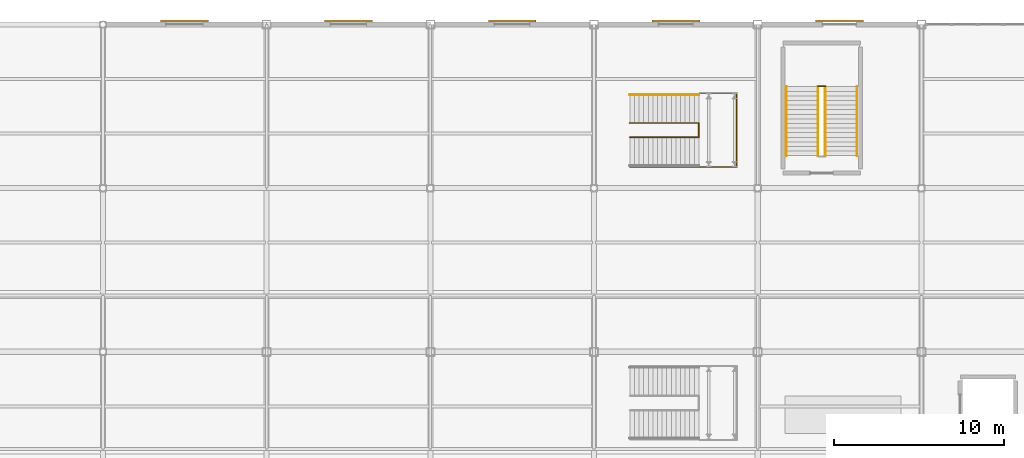
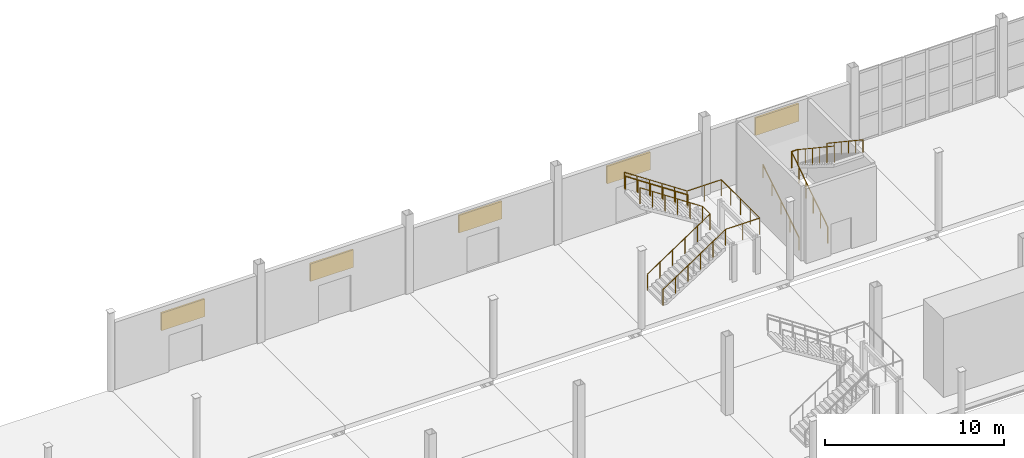
# One storey, part 84 of 85: 8 railings, 5 shading devices.
"""IFC4 building model written with IfcOpenShell, lengths in metres."""

from ifc_helpers import new_model, si_unit, direction, frame, origin, origin_2d, place, context, subcontext, project, spatial, rectangle, circle, extrude, material, type_object, element, save


model = new_model("IFC4")

# Units and contexts
model_context = context("Model", 3, precision=1e-05, world=origin(), true_north=direction((0.0, 1.0)))
body_context = subcontext(model_context, "Body", "Model", "MODEL_VIEW")
ifc_project = project(units=[si_unit("LENGTHUNIT", "METRE"), si_unit("AREAUNIT", "SQUARE_METRE"), si_unit("VOLUMEUNIT", "CUBIC_METRE"), si_unit("PLANEANGLEUNIT", "RADIAN"), si_unit("MASSUNIT", "GRAM", prefix="KILO")], contexts=[model_context])

# Site, building, storey
site_placement = place(None, origin())
site = spatial("IfcSite", under=ifc_project, at=site_placement, CompositionType="ELEMENT")
building_placement = place(site_placement, origin())
building = spatial("IfcBuilding", under=site, at=building_placement, Name="Zarnetskaya Central Station", CompositionType="ELEMENT")
storey_placement = place(building_placement, origin())
storey = spatial("IfcBuildingStorey", under=building, at=storey_placement, Name="L00", CompositionType="ELEMENT", Elevation=0.0)

# Railings
ifc_material_1 = material(Name="Steel S355", Category="steel")
railing_type_1 = type_object("IfcRailingType", Name="RAIL-HAND-900", PredefinedType="HANDRAIL", material=ifc_material_1)
railing_1_placement = place(storey_placement, frame((88.080078125, 117.10009765625, 0.168701171875)))
element("IfcRailing", 1, at=railing_1_placement, inside=storey, type_object=railing_type_1, Name="Stair ST-B1 L00 flight 1 handrail", PredefinedType="HANDRAIL", context=body_context, shape_type="SweptSolid", body=[
    extrude(circle(Radius=0.02392578125, at=origin_2d()), frame((0.0, 0.0, 0.8759765625), z_axis=(0.0, 0.847986816054, 0.530017320282), x_axis=(-1.0, 0.0, 0.0)), (0.0, 0.0, 1.0), 4.77587890625),
    extrude(circle(Radius=0.02099609375, at=origin_2d()), origin(), (0.0, 0.0, 1.0), 0.851806640625),
    extrude(circle(Radius=0.02099609375, at=origin_2d()), frame((0.0, 1.012451171875, 0.6328125)), (0.0, 0.0, 1.0), 0.851806640625),
    extrude(circle(Radius=0.02099609375, at=origin_2d()), frame((0.0, 2.02490234375, 1.265625)), (0.0, 0.0, 1.0), 0.851806640625),
    extrude(circle(Radius=0.02099609375, at=origin_2d()), frame((0.0, 3.037353515625, 1.8984375)), (0.0, 0.0, 1.0), 0.851806640625),
    extrude(circle(Radius=0.02099609375, at=origin_2d()), frame((0.0, 4.0498046875, 2.53125)), (0.0, 0.0, 1.0), 0.851806640625),
])
railing_2_placement = place(storey_placement, frame((92.219970703125, 121.14990234375, 2.699951171875)))
element("IfcRailing", 2, at=railing_2_placement, inside=storey, type_object=railing_type_1, Name="Stair ST-B1 L00 flight 2 handrail", PredefinedType="HANDRAIL", context=body_context, shape_type="SweptSolid", body=[
    extrude(circle(Radius=0.02392578125, at=origin_2d()), frame((0.0, 0.0, 0.8759765625), z_axis=(0.0, -0.832042577441, 0.554711771396), x_axis=(1.0, 0.0, 0.0)), (0.0, 0.0, 1.0), 4.8671875),
    extrude(circle(Radius=0.02099609375, at=origin_2d()), origin(), (0.0, 0.0, 1.0), 0.851806640625),
    extrude(circle(Radius=0.02099609375, at=origin_2d()), frame((0.0, -0.81005859375, 0.5400390625)), (0.0, 0.0, 1.0), 0.851806640625),
    extrude(circle(Radius=0.02099609375, at=origin_2d()), frame((0.0, -1.619873046875, 1.080078125)), (0.0, 0.0, 1.0), 0.851806640625),
    extrude(circle(Radius=0.02099609375, at=origin_2d()), frame((0.0, -2.429931640625, 1.619873046875)), (0.0, 0.0, 1.0), 0.851806640625),
    extrude(circle(Radius=0.02099609375, at=origin_2d()), frame((0.0, -3.23974609375, 2.159912109375)), (0.0, 0.0, 1.0), 0.851806640625),
    extrude(circle(Radius=0.02099609375, at=origin_2d()), frame((0.0, -4.0498046875, 2.699951171875)), (0.0, 0.0, 1.0), 0.851806640625),
])
railing_3_placement = place(storey_placement, frame((82.949951171875, 120.679931640625, 2.699951171875)))
element("IfcRailing", 3, at=railing_3_placement, inside=storey, type_object=railing_type_1, Name="Platform stair ST-P4 handrail 2", PredefinedType="HANDRAIL", context=body_context, shape_type="SweptSolid", body=[
    extrude(circle(Radius=0.02392578125, at=origin_2d()), frame((0.0, 0.0, 0.8759765625), z_axis=(-0.832058010752, 0.0, 0.55468862143), x_axis=(0.0, -1.0, 0.0)), (0.0, 0.0, 1.0), 4.867431640625),
    extrude(circle(Radius=0.02099609375, at=origin_2d()), origin(), (0.0, 0.0, 1.0), 0.851806640625),
    extrude(circle(Radius=0.02099609375, at=origin_2d()), frame((-0.81005859375, 0.0, 0.5400390625)), (0.0, 0.0, 1.0), 0.851806640625),
    extrude(circle(Radius=0.02099609375, at=origin_2d()), frame((-1.6201171875, 0.0, 1.080078125)), (0.0, 0.0, 1.0), 0.851806640625),
    extrude(circle(Radius=0.02099609375, at=origin_2d()), frame((-2.429931640625, 0.0, 1.619873046875)), (0.0, 0.0, 1.0), 0.851806640625),
    extrude(circle(Radius=0.02099609375, at=origin_2d()), frame((-3.239990234375, 0.0, 2.159912109375)), (0.0, 0.0, 1.0), 0.851806640625),
    extrude(circle(Radius=0.02099609375, at=origin_2d()), frame((-4.050048828125, 0.0, 2.699951171875)), (0.0, 0.0, 1.0), 0.851806640625),
])
railing_type_2 = type_object("IfcRailingType", Name="RAIL-STAIR-GRD", PredefinedType="BALUSTRADE", material=ifc_material_1)
railing_4_placement = place(storey_placement, frame((89.93994140625, 117.10009765625, 0.0)))
element("IfcRailing", 4, at=railing_4_placement, inside=storey, type_object=railing_type_2, Name="Stair ST-B1 L00 flight 1 well guard", PredefinedType="BALUSTRADE", context=body_context, shape_type="SweptSolid", body=[
    extrude(circle(Radius=0.02392578125, at=origin_2d()), frame((0.0, 0.0, 1.09619140625), z_axis=(0.0, 0.832042577441, 0.554711771396), x_axis=(-1.0, 0.0, 0.0)), (0.0, 0.0, 1.0), 4.8671875),
    extrude(circle(Radius=0.02099609375, at=origin_2d()), origin(), (0.0, 0.0, 1.0), 1.072021484375),
    extrude(circle(Radius=0.02099609375, at=origin_2d()), frame((0.0, 0.81005859375, 0.5400390625)), (0.0, 0.0, 1.0), 1.072021484375),
    extrude(circle(Radius=0.02099609375, at=origin_2d()), frame((0.0, 1.619873046875, 1.080078125)), (0.0, 0.0, 1.0), 1.072021484375),
    extrude(circle(Radius=0.02099609375, at=origin_2d()), frame((0.0, 2.429931640625, 1.619873046875)), (0.0, 0.0, 1.0), 1.072021484375),
    extrude(circle(Radius=0.02099609375, at=origin_2d()), frame((0.0, 3.23974609375, 2.159912109375)), (0.0, 0.0, 1.0), 1.072021484375),
    extrude(circle(Radius=0.02099609375, at=origin_2d()), frame((0.0, 4.0498046875, 2.699951171875)), (0.0, 0.0, 1.0), 1.072021484375),
])
railing_5_placement = place(storey_placement, frame((89.93994140625, 121.169921875, 2.699951171875)))
element("IfcRailing", 5, at=railing_5_placement, inside=storey, type_object=railing_type_2, Name="Stair ST-B1 L00 half-landing well guard", PredefinedType="BALUSTRADE", context=body_context, shape_type="SweptSolid", body=[
    extrude(circle(Radius=0.02392578125, at=origin_2d()), frame((0.0, 0.0, 1.09619140625), z_axis=(1.0, 0.0, 0.0), x_axis=(0.0, 1.0, 0.0)), (0.0, 0.0, 1.0), 0.420166015625),
    extrude(circle(Radius=0.02099609375, at=origin_2d()), origin(), (0.0, 0.0, 1.0), 1.072021484375),
    extrude(circle(Radius=0.02099609375, at=origin_2d()), frame((0.420166015625, 0.0, 0.0)), (0.0, 0.0, 1.0), 1.072021484375),
])
railing_6_placement = place(storey_placement, frame((90.360107421875, 121.14990234375, 2.699951171875)))
element("IfcRailing", 6, at=railing_6_placement, inside=storey, type_object=railing_type_2, Name="Stair ST-B1 L00 flight 2 well guard", PredefinedType="BALUSTRADE", context=body_context, shape_type="SweptSolid", body=[
    extrude(circle(Radius=0.02392578125, at=origin_2d()), frame((0.0, 0.0, 1.09619140625), z_axis=(0.0, -0.832042577441, 0.554711771396), x_axis=(1.0, 0.0, 0.0)), (0.0, 0.0, 1.0), 4.8671875),
    extrude(circle(Radius=0.02099609375, at=origin_2d()), origin(), (0.0, 0.0, 1.0), 1.072021484375),
    extrude(circle(Radius=0.02099609375, at=origin_2d()), frame((0.0, -0.81005859375, 0.5400390625)), (0.0, 0.0, 1.0), 1.072021484375),
    extrude(circle(Radius=0.02099609375, at=origin_2d()), frame((0.0, -1.619873046875, 1.080078125)), (0.0, 0.0, 1.0), 1.072021484375),
    extrude(circle(Radius=0.02099609375, at=origin_2d()), frame((0.0, -2.429931640625, 1.619873046875)), (0.0, 0.0, 1.0), 1.072021484375),
    extrude(circle(Radius=0.02099609375, at=origin_2d()), frame((0.0, -3.23974609375, 2.159912109375)), (0.0, 0.0, 1.0), 1.072021484375),
    extrude(circle(Radius=0.02099609375, at=origin_2d()), frame((0.0, -4.0498046875, 2.699951171875)), (0.0, 0.0, 1.0), 1.072021484375),
])
railing_7_placement = place(storey_placement, frame((78.89990234375, 116.43994140625, 0.0)))
element("IfcRailing", 7, at=railing_7_placement, inside=storey, type_object=railing_type_2, Name="Platform stair ST-P4 outer guard", PredefinedType="BALUSTRADE", context=body_context, shape_type="SweptSolid", body=[
    extrude(circle(Radius=0.02392578125, at=origin_2d()), frame((0.0, 0.0, 1.09619140625), z_axis=(0.832058010752, 0.0, 0.55468862143), x_axis=(0.0, 1.0, 0.0)), (0.0, 0.0, 1.0), 4.867431640625),
    extrude(circle(Radius=0.02392578125, at=origin_2d()), frame((4.050048828125, 0.0, 3.7958984375), z_axis=(1.0, 0.0, 0.0), x_axis=(0.0, 1.0, 0.0)), (0.0, 0.0, 1.0), 2.2099609375),
    extrude(circle(Radius=0.02392578125, at=origin_2d()), frame((6.260009765625, 0.0, 3.7958984375), z_axis=(0.0, 1.0, 0.0), x_axis=(-1.0, 0.0, 0.0)), (0.0, 0.0, 1.0), 4.320068359375),
    extrude(circle(Radius=0.02392578125, at=origin_2d()), frame((6.260009765625, 4.320068359375, 3.7958984375), z_axis=(-1.0, 0.0, 0.0), x_axis=(0.0, -1.0, 0.0)), (0.0, 0.0, 1.0), 2.2099609375),
    extrude(circle(Radius=0.02392578125, at=origin_2d()), frame((4.050048828125, 4.320068359375, 3.7958984375), z_axis=(-0.832058010752, 0.0, 0.55468862143), x_axis=(0.0, -1.0, 0.0)), (0.0, 0.0, 1.0), 4.867431640625),
    extrude(circle(Radius=0.02099609375, at=origin_2d()), origin(), (0.0, 0.0, 1.0), 1.072021484375),
    extrude(circle(Radius=0.02099609375, at=origin_2d()), frame((0.81005859375, 0.0, 0.5400390625)), (0.0, 0.0, 1.0), 1.072021484375),
    extrude(circle(Radius=0.02099609375, at=origin_2d()), frame((1.6201171875, 0.0, 1.080078125)), (0.0, 0.0, 1.0), 1.072021484375),
    extrude(circle(Radius=0.02099609375, at=origin_2d()), frame((2.429931640625, 0.0, 1.619873046875)), (0.0, 0.0, 1.0), 1.072021484375),
    extrude(circle(Radius=0.02099609375, at=origin_2d()), frame((3.239990234375, 0.0, 2.159912109375)), (0.0, 0.0, 1.0), 1.072021484375),
    extrude(circle(Radius=0.02099609375, at=origin_2d()), frame((4.050048828125, 0.0, 2.699951171875)), (0.0, 0.0, 1.0), 1.072021484375),
    extrude(circle(Radius=0.02099609375, at=origin_2d()), frame((5.155029296875, 0.0, 2.699951171875)), (0.0, 0.0, 1.0), 1.072021484375),
    extrude(circle(Radius=0.02099609375, at=origin_2d()), frame((6.260009765625, 0.0, 2.699951171875)), (0.0, 0.0, 1.0), 1.072021484375),
    extrude(circle(Radius=0.02099609375, at=origin_2d()), frame((6.260009765625, 1.080078125, 2.699951171875)), (0.0, 0.0, 1.0), 1.072021484375),
    extrude(circle(Radius=0.02099609375, at=origin_2d()), frame((6.260009765625, 2.16015625, 2.699951171875)), (0.0, 0.0, 1.0), 1.072021484375),
    extrude(circle(Radius=0.02099609375, at=origin_2d()), frame((6.260009765625, 3.239990234375, 2.699951171875)), (0.0, 0.0, 1.0), 1.072021484375),
    extrude(circle(Radius=0.02099609375, at=origin_2d()), frame((6.260009765625, 4.320068359375, 2.699951171875)), (0.0, 0.0, 1.0), 1.072021484375),
    extrude(circle(Radius=0.02099609375, at=origin_2d()), frame((5.155029296875, 4.320068359375, 2.699951171875)), (0.0, 0.0, 1.0), 1.072021484375),
    extrude(circle(Radius=0.02099609375, at=origin_2d()), frame((4.050048828125, 4.320068359375, 2.699951171875)), (0.0, 0.0, 1.0), 1.072021484375),
    extrude(circle(Radius=0.02099609375, at=origin_2d()), frame((3.239990234375, 4.320068359375, 3.239990234375)), (0.0, 0.0, 1.0), 1.072021484375),
    extrude(circle(Radius=0.02099609375, at=origin_2d()), frame((2.429931640625, 4.320068359375, 3.780029296875)), (0.0, 0.0, 1.0), 1.072021484375),
    extrude(circle(Radius=0.02099609375, at=origin_2d()), frame((1.6201171875, 4.320068359375, 4.31982421875)), (0.0, 0.0, 1.0), 1.072021484375),
    extrude(circle(Radius=0.02099609375, at=origin_2d()), frame((0.81005859375, 4.320068359375, 4.85986328125)), (0.0, 0.0, 1.0), 1.072021484375),
    extrude(circle(Radius=0.02099609375, at=origin_2d()), frame((0.0, 4.320068359375, 5.39990234375)), (0.0, 0.0, 1.0), 1.072021484375),
])
railing_8_placement = place(storey_placement, frame((78.89990234375, 118.179931640625, 0.0)))
element("IfcRailing", 8, at=railing_8_placement, inside=storey, type_object=railing_type_2, Name="Platform stair ST-P4 inner well guard", PredefinedType="BALUSTRADE", context=body_context, shape_type="SweptSolid", body=[
    extrude(circle(Radius=0.02392578125, at=origin_2d()), frame((0.0, 0.0, 1.09619140625), z_axis=(0.832058010752, 0.0, 0.55468862143), x_axis=(0.0, 1.0, 0.0)), (0.0, 0.0, 1.0), 4.867431640625),
    extrude(circle(Radius=0.02392578125, at=origin_2d()), frame((4.050048828125, 0.0, 3.7958984375), z_axis=(0.0, 1.0, 0.0), x_axis=(-1.0, 0.0, 0.0)), (0.0, 0.0, 1.0), 0.840087890625),
    extrude(circle(Radius=0.02392578125, at=origin_2d()), frame((4.050048828125, 0.840087890625, 3.7958984375), z_axis=(-0.832058010752, 0.0, 0.55468862143), x_axis=(0.0, -1.0, 0.0)), (0.0, 0.0, 1.0), 4.867431640625),
    extrude(circle(Radius=0.02099609375, at=origin_2d()), origin(), (0.0, 0.0, 1.0), 1.072021484375),
    extrude(circle(Radius=0.02099609375, at=origin_2d()), frame((0.81005859375, 0.0, 0.5400390625)), (0.0, 0.0, 1.0), 1.072021484375),
    extrude(circle(Radius=0.02099609375, at=origin_2d()), frame((1.6201171875, 0.0, 1.080078125)), (0.0, 0.0, 1.0), 1.072021484375),
    extrude(circle(Radius=0.02099609375, at=origin_2d()), frame((2.429931640625, 0.0, 1.619873046875)), (0.0, 0.0, 1.0), 1.072021484375),
    extrude(circle(Radius=0.02099609375, at=origin_2d()), frame((3.239990234375, 0.0, 2.159912109375)), (0.0, 0.0, 1.0), 1.072021484375),
    extrude(circle(Radius=0.02099609375, at=origin_2d()), frame((4.050048828125, 0.0, 2.699951171875)), (0.0, 0.0, 1.0), 1.072021484375),
    extrude(circle(Radius=0.02099609375, at=origin_2d()), frame((4.050048828125, 0.840087890625, 2.699951171875)), (0.0, 0.0, 1.0), 1.072021484375),
    extrude(circle(Radius=0.02099609375, at=origin_2d()), frame((3.239990234375, 0.840087890625, 3.239990234375)), (0.0, 0.0, 1.0), 1.072021484375),
    extrude(circle(Radius=0.02099609375, at=origin_2d()), frame((2.429931640625, 0.840087890625, 3.780029296875)), (0.0, 0.0, 1.0), 1.072021484375),
    extrude(circle(Radius=0.02099609375, at=origin_2d()), frame((1.6201171875, 0.840087890625, 4.31982421875)), (0.0, 0.0, 1.0), 1.072021484375),
    extrude(circle(Radius=0.02099609375, at=origin_2d()), frame((0.81005859375, 0.840087890625, 4.85986328125)), (0.0, 0.0, 1.0), 1.072021484375),
    extrude(circle(Radius=0.02099609375, at=origin_2d()), frame((0.0, 0.840087890625, 5.39990234375)), (0.0, 0.0, 1.0), 1.072021484375),
])

# Shading devices
ifc_material_2 = material(Name="Anodised aluminium", Category="aluminium")
shading_device_type = type_object("IfcShadingDeviceType", Name="SHD-JALOUSIE-B", PredefinedType="JALOUSIE", material=ifc_material_2)
for number, where, z_axis, x_axis, name in (
    (9, (52.776611328125, 125.0, 2.75), (0.0, 0.0, 1.0), (1.0, 0.0, 0.0), "Acoustic ventilation jalousie L00"),
    (10, (62.39990234375, 125.0, 2.75), (0.0, 0.0, 1.0), (1.0, 0.0, 0.0), "Acoustic ventilation jalousie L00"),
    (11, (72.0, 125.0, 2.7001953125), (0.0, 0.0, 1.0), (1.0, 0.0, 0.0), "Acoustic ventilation jalousie L00"),
    (12, (81.60009765625, 125.0, 2.7001953125), (0.0, 0.0, 1.0), (1.0, 0.0, 0.0), "Acoustic ventilation jalousie L00"),
    (13, (91.199951171875, 125.0, 2.64990234375), (0.0, 0.0, 1.0), (1.0, 0.0, 0.0), "Acoustic ventilation jalousie L00"),
):
    element("IfcShadingDevice", number, at=place(storey_placement, frame(where, z_axis=z_axis, x_axis=x_axis)), inside=storey, type_object=shading_device_type, Name=name, PredefinedType="JALOUSIE", context=body_context, shape_type="SweptSolid", body=[
        extrude(rectangle(XDim=2.800048828125, YDim=0.1201171875, at=origin_2d()), origin(), (0.0, 0.0, 1.0), 1.199951171875),
    ])

save(model, "model.ifc")
